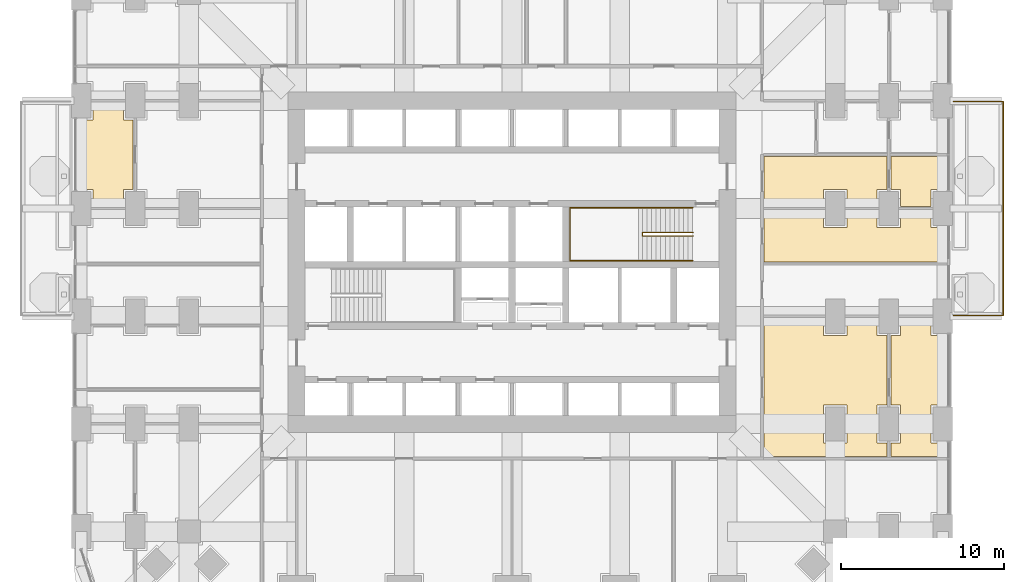
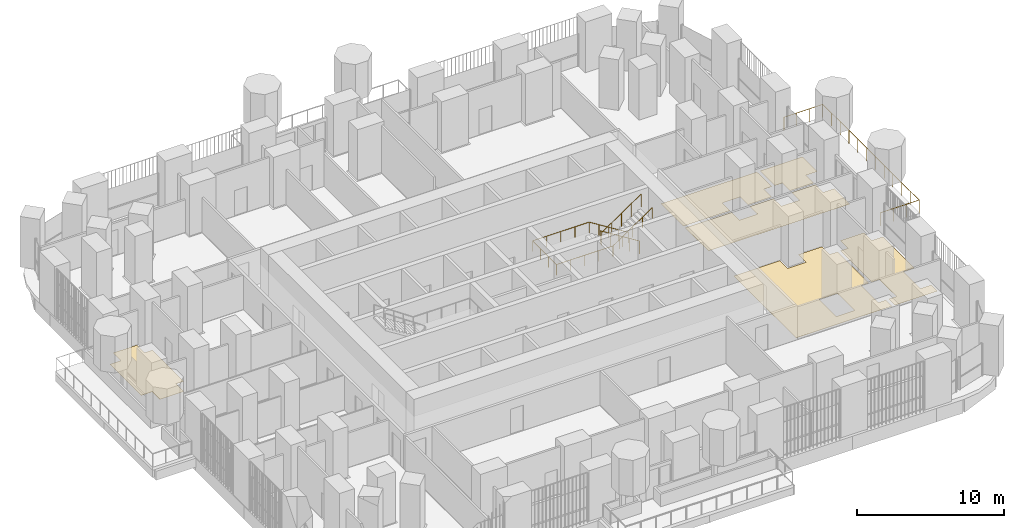
# One storey, part 24 of 26: 6 coverings, 3 railings.
"""IFC4 building model written with IfcOpenShell, lengths in metres."""

from ifc_helpers import new_model, si_unit, direction, frame, origin, place, context, subcontext, project, spatial, polyline, outline, extrude, material, layer, layer_set, type_object, element, save


model = new_model("IFC4")

# Units and contexts
model_context = context("Model", 3, precision=1e-05, world=origin(), true_north=direction((0.0, 1.0)))
body_context = subcontext(model_context, "Body", "Model", "MODEL_VIEW")
ifc_project = project(units=[si_unit("LENGTHUNIT", "METRE"), si_unit("AREAUNIT", "SQUARE_METRE"), si_unit("VOLUMEUNIT", "CUBIC_METRE"), si_unit("PLANEANGLEUNIT", "RADIAN"), si_unit("MASSUNIT", "GRAM", prefix="KILO")], contexts=[model_context])

# Site, building, storey
site_placement = place(None, origin())
site = spatial("IfcSite", under=ifc_project, at=site_placement, CompositionType="ELEMENT")
building_placement = place(site_placement, origin())
building = spatial("IfcBuilding", under=site, at=building_placement, Name="Cobogo Forest Laboratory Tower", CompositionType="ELEMENT")
storey_placement = place(building_placement, frame((0.0, 0.0, 25.5)))
storey = spatial("IfcBuildingStorey", under=building, at=storey_placement, Name="L05", CompositionType="ELEMENT", Elevation=25.5)

# Railing
ifc_material_1 = material(Name="Laminated glass balustrade", Category="glass")
railing_type_1 = type_object("IfcRailingType", Name="BG1 glass balustrade 1100", PredefinedType="GUARDRAIL", material=ifc_material_1)
railing_1_placement = place(storey_placement, frame((53.449951171875, 19.85009765625, 0.0)))
element("IfcRailing", 1, at=railing_1_placement, inside=storey, type_object=railing_type_1, Name="Balcony balustrade BAL-E1 L05", PredefinedType="GUARDRAIL", context=body_context, shape_type="SweptSolid", body=[
    extrude(outline(polyline([(0.022216796875, 0.00927734375), (0.00927734375, 0.022216796875), (-0.00927734375, 0.022216796875), (-0.022216796875, 0.00927734375), (-0.022216796875, -0.00927734375), (-0.00927734375, -0.022216796875), (0.00927734375, -0.022216796875), (0.022216796875, -0.00927734375), (0.022216796875, 0.00927734375)])), frame((0.0, 0.0, 1.077880859375), z_axis=(1.0, 0.0, 0.0), x_axis=(0.0, 1.0, 0.0)), (0.0, 0.0, 1.0), 3.050048828125),
    extrude(outline(polyline([(0.022216796875, 0.00927734375), (0.00927734375, 0.022216796875), (-0.00927734375, 0.022216796875), (-0.022216796875, 0.00927734375), (-0.022216796875, -0.00927734375), (-0.00927734375, -0.022216796875), (0.00927734375, -0.022216796875), (0.022216796875, -0.00927734375), (0.022216796875, 0.00927734375)])), frame((3.050048828125, 0.0, 1.077880859375), z_axis=(0.0, 1.0, 0.0), x_axis=(-1.0, 0.0, 0.0)), (0.0, 0.0, 1.0), 13.099853515625),
    extrude(outline(polyline([(0.022216796875, 0.00927734375), (0.00927734375, 0.022216796875), (-0.00927734375, 0.022216796875), (-0.022216796875, 0.00927734375), (-0.022216796875, -0.00927734375), (-0.00927734375, -0.022216796875), (0.00927734375, -0.022216796875), (0.022216796875, -0.00927734375), (0.022216796875, 0.00927734375)])), frame((3.050048828125, 13.099853515625, 1.077880859375), z_axis=(-1.0, 0.0, 0.0), x_axis=(0.0, -1.0, 0.0)), (0.0, 0.0, 1.0), 3.050048828125),
    extrude(outline(polyline([(0.019287109375, 0.008056640625), (0.008056640625, 0.019287109375), (-0.008056640625, 0.019287109375), (-0.019287109375, 0.008056640625), (-0.019287109375, -0.008056640625), (-0.008056640625, -0.019287109375), (0.008056640625, -0.019287109375), (0.019287109375, -0.008056640625), (0.019287109375, 0.008056640625)])), origin(), (0.0, 0.0, 1.0), 1.077880859375),
    extrude(outline(polyline([(0.019287109375, 0.008056640625), (0.008056640625, 0.019287109375), (-0.008056640625, 0.019287109375), (-0.019287109375, 0.008056640625), (-0.019287109375, -0.008056640625), (-0.008056640625, -0.019287109375), (0.008056640625, -0.019287109375), (0.019287109375, -0.008056640625), (0.019287109375, 0.008056640625)])), frame((1.0166015625, 0.0, 0.0)), (0.0, 0.0, 1.0), 1.077880859375),
    extrude(outline(polyline([(0.019287109375, 0.008056640625), (0.008056640625, 0.019287109375), (-0.008056640625, 0.019287109375), (-0.019287109375, 0.008056640625), (-0.019287109375, -0.008056640625), (-0.008056640625, -0.019287109375), (0.008056640625, -0.019287109375), (0.019287109375, -0.008056640625), (0.019287109375, 0.008056640625)])), frame((2.033447265625, 0.0, 0.0)), (0.0, 0.0, 1.0), 1.077880859375),
    extrude(outline(polyline([(0.019287109375, 0.008056640625), (0.008056640625, 0.019287109375), (-0.008056640625, 0.019287109375), (-0.019287109375, 0.008056640625), (-0.019287109375, -0.008056640625), (-0.008056640625, -0.019287109375), (0.008056640625, -0.019287109375), (0.019287109375, -0.008056640625), (0.019287109375, 0.008056640625)])), frame((3.050048828125, 0.0, 0.0)), (0.0, 0.0, 1.0), 1.077880859375),
    extrude(outline(polyline([(0.019287109375, 0.008056640625), (0.008056640625, 0.019287109375), (-0.008056640625, 0.019287109375), (-0.019287109375, 0.008056640625), (-0.019287109375, -0.008056640625), (-0.008056640625, -0.019287109375), (0.008056640625, -0.019287109375), (0.019287109375, -0.008056640625), (0.019287109375, 0.008056640625)])), frame((3.050048828125, 1.19091796875, 0.0)), (0.0, 0.0, 1.0), 1.077880859375),
    extrude(outline(polyline([(0.019287109375, 0.008056640625), (0.008056640625, 0.019287109375), (-0.008056640625, 0.019287109375), (-0.019287109375, 0.008056640625), (-0.019287109375, -0.008056640625), (-0.008056640625, -0.019287109375), (0.008056640625, -0.019287109375), (0.019287109375, -0.008056640625), (0.019287109375, 0.008056640625)])), frame((3.050048828125, 2.3818359375, 0.0)), (0.0, 0.0, 1.0), 1.077880859375),
    extrude(outline(polyline([(0.019287109375, 0.008056640625), (0.008056640625, 0.019287109375), (-0.008056640625, 0.019287109375), (-0.019287109375, 0.008056640625), (-0.019287109375, -0.008056640625), (-0.008056640625, -0.019287109375), (0.008056640625, -0.019287109375), (0.019287109375, -0.008056640625), (0.019287109375, 0.008056640625)])), frame((3.050048828125, 3.57275390625, 0.0)), (0.0, 0.0, 1.0), 1.077880859375),
    extrude(outline(polyline([(0.019287109375, 0.008056640625), (0.008056640625, 0.019287109375), (-0.008056640625, 0.019287109375), (-0.019287109375, 0.008056640625), (-0.019287109375, -0.008056640625), (-0.008056640625, -0.019287109375), (0.008056640625, -0.019287109375), (0.019287109375, -0.008056640625), (0.019287109375, 0.008056640625)])), frame((3.050048828125, 4.763671875, 0.0)), (0.0, 0.0, 1.0), 1.077880859375),
    extrude(outline(polyline([(0.019287109375, 0.008056640625), (0.008056640625, 0.019287109375), (-0.008056640625, 0.019287109375), (-0.019287109375, 0.008056640625), (-0.019287109375, -0.008056640625), (-0.008056640625, -0.019287109375), (0.008056640625, -0.019287109375), (0.019287109375, -0.008056640625), (0.019287109375, 0.008056640625)])), frame((3.050048828125, 5.95458984375, 0.0)), (0.0, 0.0, 1.0), 1.077880859375),
    extrude(outline(polyline([(0.019287109375, 0.008056640625), (0.008056640625, 0.019287109375), (-0.008056640625, 0.019287109375), (-0.019287109375, 0.008056640625), (-0.019287109375, -0.008056640625), (-0.008056640625, -0.019287109375), (0.008056640625, -0.019287109375), (0.019287109375, -0.008056640625), (0.019287109375, 0.008056640625)])), frame((3.050048828125, 7.145263671875, 0.0)), (0.0, 0.0, 1.0), 1.077880859375),
    extrude(outline(polyline([(0.019287109375, 0.008056640625), (0.008056640625, 0.019287109375), (-0.008056640625, 0.019287109375), (-0.019287109375, 0.008056640625), (-0.019287109375, -0.008056640625), (-0.008056640625, -0.019287109375), (0.008056640625, -0.019287109375), (0.019287109375, -0.008056640625), (0.019287109375, 0.008056640625)])), frame((3.050048828125, 8.336181640625, 0.0)), (0.0, 0.0, 1.0), 1.077880859375),
    extrude(outline(polyline([(0.019287109375, 0.008056640625), (0.008056640625, 0.019287109375), (-0.008056640625, 0.019287109375), (-0.019287109375, 0.008056640625), (-0.019287109375, -0.008056640625), (-0.008056640625, -0.019287109375), (0.008056640625, -0.019287109375), (0.019287109375, -0.008056640625), (0.019287109375, 0.008056640625)])), frame((3.050048828125, 9.527099609375, 0.0)), (0.0, 0.0, 1.0), 1.077880859375),
    extrude(outline(polyline([(0.019287109375, 0.008056640625), (0.008056640625, 0.019287109375), (-0.008056640625, 0.019287109375), (-0.019287109375, 0.008056640625), (-0.019287109375, -0.008056640625), (-0.008056640625, -0.019287109375), (0.008056640625, -0.019287109375), (0.019287109375, -0.008056640625), (0.019287109375, 0.008056640625)])), frame((3.050048828125, 10.718017578125, 0.0)), (0.0, 0.0, 1.0), 1.077880859375),
    extrude(outline(polyline([(0.019287109375, 0.008056640625), (0.008056640625, 0.019287109375), (-0.008056640625, 0.019287109375), (-0.019287109375, 0.008056640625), (-0.019287109375, -0.008056640625), (-0.008056640625, -0.019287109375), (0.008056640625, -0.019287109375), (0.019287109375, -0.008056640625), (0.019287109375, 0.008056640625)])), frame((3.050048828125, 11.908935546875, 0.0)), (0.0, 0.0, 1.0), 1.077880859375),
    extrude(outline(polyline([(0.019287109375, 0.008056640625), (0.008056640625, 0.019287109375), (-0.008056640625, 0.019287109375), (-0.019287109375, 0.008056640625), (-0.019287109375, -0.008056640625), (-0.008056640625, -0.019287109375), (0.008056640625, -0.019287109375), (0.019287109375, -0.008056640625), (0.019287109375, 0.008056640625)])), frame((3.050048828125, 13.099853515625, 0.0)), (0.0, 0.0, 1.0), 1.077880859375),
    extrude(outline(polyline([(0.019287109375, 0.008056640625), (0.008056640625, 0.019287109375), (-0.008056640625, 0.019287109375), (-0.019287109375, 0.008056640625), (-0.019287109375, -0.008056640625), (-0.008056640625, -0.019287109375), (0.008056640625, -0.019287109375), (0.019287109375, -0.008056640625), (0.019287109375, 0.008056640625)])), frame((2.033447265625, 13.099853515625, 0.0)), (0.0, 0.0, 1.0), 1.077880859375),
    extrude(outline(polyline([(0.019287109375, 0.008056640625), (0.008056640625, 0.019287109375), (-0.008056640625, 0.019287109375), (-0.019287109375, 0.008056640625), (-0.019287109375, -0.008056640625), (-0.008056640625, -0.019287109375), (0.008056640625, -0.019287109375), (0.019287109375, -0.008056640625), (0.019287109375, 0.008056640625)])), frame((1.0166015625, 13.099853515625, 0.0)), (0.0, 0.0, 1.0), 1.077880859375),
    extrude(outline(polyline([(0.019287109375, 0.008056640625), (0.008056640625, 0.019287109375), (-0.008056640625, 0.019287109375), (-0.019287109375, 0.008056640625), (-0.019287109375, -0.008056640625), (-0.008056640625, -0.019287109375), (0.008056640625, -0.019287109375), (0.019287109375, -0.008056640625), (0.019287109375, 0.008056640625)])), frame((0.0, 13.099853515625, 0.0)), (0.0, 0.0, 1.0), 1.077880859375),
])

# Coverings
ifc_material_2 = material(Name="Carpet tile on raised access floor", Category="flooring")
ifc_layer_1 = layer(ifc_material_2, 0.008056640625)
ifc_layer_set_1 = layer_set([ifc_layer_1], Name="CT1 carpet tile floor 8")
covering_type_1 = type_object("IfcCoveringType", Name="CT1 carpet tile floor 8", PredefinedType="FLOORING", material=ifc_layer_set_1)
covering_1_placement = place(storey_placement, origin())
element("IfcCovering", 2, at=covering_1_placement, inside=storey, type_object=covering_type_1, Name="Carpet floor L05-09", PredefinedType="FLOORING", context=body_context, shape_type="SweptSolid", body=[
    extrude(outline(polyline([(49.6201171875, 12.030029296875), (50.219970703125, 12.030029296875), (50.219970703125, 14.3701171875), (49.6201171875, 14.3701171875), (49.6201171875, 18.6298828125), (50.219970703125, 18.6298828125), (50.219970703125, 19.679931640625), (52.080078125, 19.679931640625), (52.080078125, 18.6298828125), (52.949951171875, 18.6298828125), (52.949951171875, 14.3701171875), (52.080078125, 14.3701171875), (52.080078125, 12.030029296875), (52.949951171875, 12.030029296875), (52.949951171875, 11.195068359375), (49.6201171875, 11.195068359375), (49.6201171875, 12.030029296875)])), origin(), (0.0, 0.0, 1.0), 0.008056640625),
])
covering_2_placement = place(storey_placement, origin())
element("IfcCovering", 3, at=covering_2_placement, inside=storey, type_object=covering_type_1, Name="Carpet floor L05-13", PredefinedType="FLOORING", context=body_context, shape_type="SweptSolid", body=[
    extrude(outline(polyline([(49.6201171875, 29.580078125), (52.949951171875, 29.580078125), (52.949951171875, 27.570068359375), (52.080078125, 27.570068359375), (52.080078125, 26.52001953125), (50.219970703125, 26.52001953125), (50.219970703125, 27.570068359375), (49.6201171875, 27.570068359375), (49.6201171875, 29.580078125)])), origin(), (0.0, 0.0, 1.0), 0.008056640625),
])
covering_3_placement = place(storey_placement, origin())
element("IfcCovering", 4, at=covering_3_placement, inside=storey, type_object=covering_type_1, Name="Carpet floor L05-35", PredefinedType="FLOORING", context=body_context, shape_type="SweptSolid", body=[
    extrude(outline(polyline([(3.179931640625, 27.570068359375), (2.580078125, 27.570068359375), (2.580078125, 26.52001953125), (0.719970703125, 26.52001953125), (0.719970703125, 27.570068359375), (-0.14990234375, 27.570068359375), (-0.14990234375, 31.830078125), (0.719970703125, 31.830078125), (0.719970703125, 32.8798828125), (2.580078125, 32.8798828125), (2.580078125, 31.830078125), (3.179931640625, 31.830078125), (3.179931640625, 27.570068359375)])), origin(), (0.0, 0.0, 1.0), 0.008056640625),
])

# Railings
ifc_material_3 = material(Name="Steel balustrade", Category="steel")
railing_type_2 = type_object("IfcRailingType", Name="GR stair guard 1100", PredefinedType="GUARDRAIL", material=ifc_material_3)
railing_2_placement = place(storey_placement, frame((37.47509765625, 24.929931640625, 0.175048828125)))
element("IfcRailing", 5, at=railing_2_placement, inside=storey, type_object=railing_type_2, Name="Stair guard ST2 L05", PredefinedType="GUARDRAIL", context=body_context, shape_type="SweptSolid", body=[
    extrude(outline(polyline([(0.022216796875, 0.00927734375), (0.00927734375, 0.022216796875), (-0.00927734375, 0.022216796875), (-0.022216796875, 0.00927734375), (-0.022216796875, -0.00927734375), (-0.00927734375, -0.022216796875), (0.00927734375, -0.022216796875), (0.022216796875, -0.00927734375), (0.022216796875, 0.00927734375)])), frame((0.0, 0.0, 1.077880859375), z_axis=(-0.847998304005, 0.0, 0.529998940003), x_axis=(0.0, -1.0, 0.0)), (0.0, 0.0, 1.0), 3.632080078125),
    extrude(outline(polyline([(0.022216796875, 0.00927734375), (0.00927734375, 0.022216796875), (-0.00927734375, 0.022216796875), (-0.022216796875, 0.00927734375), (-0.022216796875, -0.00927734375), (-0.00927734375, -0.022216796875), (0.00927734375, -0.022216796875), (0.022216796875, -0.00927734375), (0.022216796875, 0.00927734375)])), frame((-3.080078125, 0.0, 3.0029296875), z_axis=(0.0, -1.0, 0.0), x_axis=(1.0, 0.0, 0.0)), (0.0, 0.0, 1.0), 0.2099609375),
    extrude(outline(polyline([(0.022216796875, 0.00927734375), (0.00927734375, 0.022216796875), (-0.00927734375, 0.022216796875), (-0.022216796875, 0.00927734375), (-0.022216796875, -0.00927734375), (-0.00927734375, -0.022216796875), (0.00927734375, -0.022216796875), (0.022216796875, -0.00927734375), (0.022216796875, 0.00927734375)])), frame((-3.080078125, -0.2099609375, 3.0029296875), z_axis=(0.826252282691, 0.0, 0.563300244406), x_axis=(0.0, 1.0, 0.0)), (0.0, 0.0, 1.0), 3.727783203125),
    extrude(outline(polyline([(0.019287109375, 0.008056640625), (0.008056640625, 0.019287109375), (-0.008056640625, 0.019287109375), (-0.019287109375, 0.008056640625), (-0.019287109375, -0.008056640625), (-0.008056640625, -0.019287109375), (0.008056640625, -0.019287109375), (0.019287109375, -0.008056640625), (0.019287109375, 0.008056640625)])), origin(), (0.0, 0.0, 1.0), 1.077880859375),
    extrude(outline(polyline([(0.019287109375, 0.008056640625), (0.008056640625, 0.019287109375), (-0.008056640625, 0.019287109375), (-0.019287109375, 0.008056640625), (-0.019287109375, -0.008056640625), (-0.008056640625, -0.019287109375), (0.008056640625, -0.019287109375), (0.019287109375, -0.008056640625), (0.019287109375, 0.008056640625)])), frame((-0.77001953125, 0.0, 0.481201171875)), (0.0, 0.0, 1.0), 1.077880859375),
    extrude(outline(polyline([(0.019287109375, 0.008056640625), (0.008056640625, 0.019287109375), (-0.008056640625, 0.019287109375), (-0.019287109375, 0.008056640625), (-0.019287109375, -0.008056640625), (-0.008056640625, -0.019287109375), (0.008056640625, -0.019287109375), (0.019287109375, -0.008056640625), (0.019287109375, 0.008056640625)])), frame((-1.5400390625, 0.0, 0.96240234375)), (0.0, 0.0, 1.0), 1.077880859375),
    extrude(outline(polyline([(0.019287109375, 0.008056640625), (0.008056640625, 0.019287109375), (-0.008056640625, 0.019287109375), (-0.019287109375, 0.008056640625), (-0.019287109375, -0.008056640625), (-0.008056640625, -0.019287109375), (0.008056640625, -0.019287109375), (0.019287109375, -0.008056640625), (0.019287109375, 0.008056640625)])), frame((-2.31005859375, 0.0, 1.44384765625)), (0.0, 0.0, 1.0), 1.077880859375),
    extrude(outline(polyline([(0.019287109375, 0.008056640625), (0.008056640625, 0.019287109375), (-0.008056640625, 0.019287109375), (-0.019287109375, 0.008056640625), (-0.019287109375, -0.008056640625), (-0.008056640625, -0.019287109375), (0.008056640625, -0.019287109375), (0.019287109375, -0.008056640625), (0.019287109375, 0.008056640625)])), frame((-3.080078125, 0.0, 1.925048828125)), (0.0, 0.0, 1.0), 1.077880859375),
    extrude(outline(polyline([(0.019287109375, 0.008056640625), (0.008056640625, 0.019287109375), (-0.008056640625, 0.019287109375), (-0.019287109375, 0.008056640625), (-0.019287109375, -0.008056640625), (-0.008056640625, -0.019287109375), (0.008056640625, -0.019287109375), (0.019287109375, -0.008056640625), (0.019287109375, 0.008056640625)])), frame((-3.080078125, -0.2099609375, 1.925048828125)), (0.0, 0.0, 1.0), 1.077880859375),
    extrude(outline(polyline([(0.019287109375, 0.008056640625), (0.008056640625, 0.019287109375), (-0.008056640625, 0.019287109375), (-0.019287109375, 0.008056640625), (-0.019287109375, -0.008056640625), (-0.008056640625, -0.019287109375), (0.008056640625, -0.019287109375), (0.019287109375, -0.008056640625), (0.019287109375, 0.008056640625)])), frame((-2.31005859375, -0.2099609375, 2.449951171875)), (0.0, 0.0, 1.0), 1.077880859375),
    extrude(outline(polyline([(0.019287109375, 0.008056640625), (0.008056640625, 0.019287109375), (-0.008056640625, 0.019287109375), (-0.019287109375, 0.008056640625), (-0.019287109375, -0.008056640625), (-0.008056640625, -0.019287109375), (0.008056640625, -0.019287109375), (0.019287109375, -0.008056640625), (0.019287109375, 0.008056640625)])), frame((-1.5400390625, -0.2099609375, 2.97509765625)), (0.0, 0.0, 1.0), 1.077880859375),
    extrude(outline(polyline([(0.019287109375, 0.008056640625), (0.008056640625, 0.019287109375), (-0.008056640625, 0.019287109375), (-0.019287109375, 0.008056640625), (-0.019287109375, -0.008056640625), (-0.008056640625, -0.019287109375), (0.008056640625, -0.019287109375), (0.019287109375, -0.008056640625), (0.019287109375, 0.008056640625)])), frame((-0.77001953125, -0.2099609375, 3.5)), (0.0, 0.0, 1.0), 1.077880859375),
    extrude(outline(polyline([(0.019287109375, 0.008056640625), (0.008056640625, 0.019287109375), (-0.008056640625, 0.019287109375), (-0.019287109375, 0.008056640625), (-0.019287109375, -0.008056640625), (-0.008056640625, -0.019287109375), (0.008056640625, -0.019287109375), (0.019287109375, -0.008056640625), (0.019287109375, 0.008056640625)])), frame((0.0, -0.2099609375, 4.02490234375)), (0.0, 0.0, 1.0), 1.077880859375),
])
ifc_material_4 = material(Name="Stainless steel handrail", Category="steel")
railing_type_3 = type_object("IfcRailingType", Name="HR handrail 900", PredefinedType="HANDRAIL", material=ifc_material_4)
railing_3_placement = place(storey_placement, frame((37.47509765625, 26.449951171875, 0.175048828125)))
element("IfcRailing", 6, at=railing_3_placement, inside=storey, type_object=railing_type_3, Name="Stair handrail ST2 L05", PredefinedType="HANDRAIL", context=body_context, shape_type="SweptSolid", body=[
    extrude(outline(polyline([(0.022216796875, 0.00927734375), (0.00927734375, 0.022216796875), (-0.00927734375, 0.022216796875), (-0.022216796875, 0.00927734375), (-0.022216796875, -0.00927734375), (-0.00927734375, -0.022216796875), (0.00927734375, -0.022216796875), (0.022216796875, -0.00927734375), (0.022216796875, 0.00927734375)])), frame((0.0, 0.0, 0.877685546875), z_axis=(-0.847998304005, 0.0, 0.529998940003), x_axis=(0.0, -1.0, 0.0)), (0.0, 0.0, 1.0), 3.632080078125),
    extrude(outline(polyline([(0.022216796875, 0.00927734375), (0.00927734375, 0.022216796875), (-0.00927734375, 0.022216796875), (-0.022216796875, 0.00927734375), (-0.022216796875, -0.00927734375), (-0.00927734375, -0.022216796875), (0.00927734375, -0.022216796875), (0.022216796875, -0.00927734375), (0.022216796875, 0.00927734375)])), frame((-3.080078125, 0.0, 2.802734375), z_axis=(-1.0, 0.0, 0.0), x_axis=(0.0, -1.0, 0.0)), (0.0, 0.0, 1.0), 4.445068359375),
    extrude(outline(polyline([(0.022216796875, 0.00927734375), (0.00927734375, 0.022216796875), (-0.00927734375, 0.022216796875), (-0.022216796875, 0.00927734375), (-0.022216796875, -0.00927734375), (-0.00927734375, -0.022216796875), (0.00927734375, -0.022216796875), (0.022216796875, -0.00927734375), (0.022216796875, 0.00927734375)])), frame((-7.525146484375, 0.0, 2.802734375), z_axis=(0.0, -1.0, 0.0), x_axis=(1.0, 0.0, 0.0)), (0.0, 0.0, 1.0), 3.25),
    extrude(outline(polyline([(0.022216796875, 0.00927734375), (0.00927734375, 0.022216796875), (-0.00927734375, 0.022216796875), (-0.022216796875, 0.00927734375), (-0.022216796875, -0.00927734375), (-0.00927734375, -0.022216796875), (0.00927734375, -0.022216796875), (0.022216796875, -0.00927734375), (0.022216796875, 0.00927734375)])), frame((-7.525146484375, -3.25, 2.802734375), z_axis=(1.0, 0.0, 0.0), x_axis=(0.0, 1.0, 0.0)), (0.0, 0.0, 1.0), 4.445068359375),
    extrude(outline(polyline([(0.022216796875, 0.00927734375), (0.00927734375, 0.022216796875), (-0.00927734375, 0.022216796875), (-0.022216796875, 0.00927734375), (-0.022216796875, -0.00927734375), (-0.00927734375, -0.022216796875), (0.00927734375, -0.022216796875), (0.022216796875, -0.00927734375), (0.022216796875, 0.00927734375)])), frame((-3.080078125, -3.25, 2.802734375), z_axis=(0.826252282691, 0.0, 0.563300244406), x_axis=(0.0, 1.0, 0.0)), (0.0, 0.0, 1.0), 3.727783203125),
    extrude(outline(polyline([(0.019287109375, 0.008056640625), (0.008056640625, 0.019287109375), (-0.008056640625, 0.019287109375), (-0.019287109375, 0.008056640625), (-0.019287109375, -0.008056640625), (-0.008056640625, -0.019287109375), (0.008056640625, -0.019287109375), (0.019287109375, -0.008056640625), (0.019287109375, 0.008056640625)])), origin(), (0.0, 0.0, 1.0), 0.877685546875),
    extrude(outline(polyline([(0.019287109375, 0.008056640625), (0.008056640625, 0.019287109375), (-0.008056640625, 0.019287109375), (-0.019287109375, 0.008056640625), (-0.019287109375, -0.008056640625), (-0.008056640625, -0.019287109375), (0.008056640625, -0.019287109375), (0.019287109375, -0.008056640625), (0.019287109375, 0.008056640625)])), frame((-0.77001953125, 0.0, 0.481201171875)), (0.0, 0.0, 1.0), 0.877685546875),
    extrude(outline(polyline([(0.019287109375, 0.008056640625), (0.008056640625, 0.019287109375), (-0.008056640625, 0.019287109375), (-0.019287109375, 0.008056640625), (-0.019287109375, -0.008056640625), (-0.008056640625, -0.019287109375), (0.008056640625, -0.019287109375), (0.019287109375, -0.008056640625), (0.019287109375, 0.008056640625)])), frame((-1.5400390625, 0.0, 0.96240234375)), (0.0, 0.0, 1.0), 0.877685546875),
    extrude(outline(polyline([(0.019287109375, 0.008056640625), (0.008056640625, 0.019287109375), (-0.008056640625, 0.019287109375), (-0.019287109375, 0.008056640625), (-0.019287109375, -0.008056640625), (-0.008056640625, -0.019287109375), (0.008056640625, -0.019287109375), (0.019287109375, -0.008056640625), (0.019287109375, 0.008056640625)])), frame((-2.31005859375, 0.0, 1.44384765625)), (0.0, 0.0, 1.0), 0.877685546875),
    extrude(outline(polyline([(0.019287109375, 0.008056640625), (0.008056640625, 0.019287109375), (-0.008056640625, 0.019287109375), (-0.019287109375, 0.008056640625), (-0.019287109375, -0.008056640625), (-0.008056640625, -0.019287109375), (0.008056640625, -0.019287109375), (0.019287109375, -0.008056640625), (0.019287109375, 0.008056640625)])), frame((-3.080078125, 0.0, 1.925048828125)), (0.0, 0.0, 1.0), 0.877685546875),
    extrude(outline(polyline([(0.019287109375, 0.008056640625), (0.008056640625, 0.019287109375), (-0.008056640625, 0.019287109375), (-0.019287109375, 0.008056640625), (-0.019287109375, -0.008056640625), (-0.008056640625, -0.019287109375), (0.008056640625, -0.019287109375), (0.019287109375, -0.008056640625), (0.019287109375, 0.008056640625)])), frame((-4.19140625, 0.0, 1.925048828125)), (0.0, 0.0, 1.0), 0.877685546875),
    extrude(outline(polyline([(0.019287109375, 0.008056640625), (0.008056640625, 0.019287109375), (-0.008056640625, 0.019287109375), (-0.019287109375, 0.008056640625), (-0.019287109375, -0.008056640625), (-0.008056640625, -0.019287109375), (0.008056640625, -0.019287109375), (0.019287109375, -0.008056640625), (0.019287109375, 0.008056640625)])), frame((-5.302734375, 0.0, 1.925048828125)), (0.0, 0.0, 1.0), 0.877685546875),
    extrude(outline(polyline([(0.019287109375, 0.008056640625), (0.008056640625, 0.019287109375), (-0.008056640625, 0.019287109375), (-0.019287109375, 0.008056640625), (-0.019287109375, -0.008056640625), (-0.008056640625, -0.019287109375), (0.008056640625, -0.019287109375), (0.019287109375, -0.008056640625), (0.019287109375, 0.008056640625)])), frame((-6.413818359375, 0.0, 1.925048828125)), (0.0, 0.0, 1.0), 0.877685546875),
    extrude(outline(polyline([(0.019287109375, 0.008056640625), (0.008056640625, 0.019287109375), (-0.008056640625, 0.019287109375), (-0.019287109375, 0.008056640625), (-0.019287109375, -0.008056640625), (-0.008056640625, -0.019287109375), (0.008056640625, -0.019287109375), (0.019287109375, -0.008056640625), (0.019287109375, 0.008056640625)])), frame((-7.525146484375, 0.0, 1.925048828125)), (0.0, 0.0, 1.0), 0.877685546875),
    extrude(outline(polyline([(0.019287109375, 0.008056640625), (0.008056640625, 0.019287109375), (-0.008056640625, 0.019287109375), (-0.019287109375, 0.008056640625), (-0.019287109375, -0.008056640625), (-0.008056640625, -0.019287109375), (0.008056640625, -0.019287109375), (0.019287109375, -0.008056640625), (0.019287109375, 0.008056640625)])), frame((-7.525146484375, -1.083251953125, 1.925048828125)), (0.0, 0.0, 1.0), 0.877685546875),
    extrude(outline(polyline([(0.019287109375, 0.008056640625), (0.008056640625, 0.019287109375), (-0.008056640625, 0.019287109375), (-0.019287109375, 0.008056640625), (-0.019287109375, -0.008056640625), (-0.008056640625, -0.019287109375), (0.008056640625, -0.019287109375), (0.019287109375, -0.008056640625), (0.019287109375, 0.008056640625)])), frame((-7.525146484375, -2.166748046875, 1.925048828125)), (0.0, 0.0, 1.0), 0.877685546875),
    extrude(outline(polyline([(0.019287109375, 0.008056640625), (0.008056640625, 0.019287109375), (-0.008056640625, 0.019287109375), (-0.019287109375, 0.008056640625), (-0.019287109375, -0.008056640625), (-0.008056640625, -0.019287109375), (0.008056640625, -0.019287109375), (0.019287109375, -0.008056640625), (0.019287109375, 0.008056640625)])), frame((-7.525146484375, -3.25, 1.925048828125)), (0.0, 0.0, 1.0), 0.877685546875),
    extrude(outline(polyline([(0.019287109375, 0.008056640625), (0.008056640625, 0.019287109375), (-0.008056640625, 0.019287109375), (-0.019287109375, 0.008056640625), (-0.019287109375, -0.008056640625), (-0.008056640625, -0.019287109375), (0.008056640625, -0.019287109375), (0.019287109375, -0.008056640625), (0.019287109375, 0.008056640625)])), frame((-6.413818359375, -3.25, 1.925048828125)), (0.0, 0.0, 1.0), 0.877685546875),
    extrude(outline(polyline([(0.019287109375, 0.008056640625), (0.008056640625, 0.019287109375), (-0.008056640625, 0.019287109375), (-0.019287109375, 0.008056640625), (-0.019287109375, -0.008056640625), (-0.008056640625, -0.019287109375), (0.008056640625, -0.019287109375), (0.019287109375, -0.008056640625), (0.019287109375, 0.008056640625)])), frame((-5.302734375, -3.25, 1.925048828125)), (0.0, 0.0, 1.0), 0.877685546875),
    extrude(outline(polyline([(0.019287109375, 0.008056640625), (0.008056640625, 0.019287109375), (-0.008056640625, 0.019287109375), (-0.019287109375, 0.008056640625), (-0.019287109375, -0.008056640625), (-0.008056640625, -0.019287109375), (0.008056640625, -0.019287109375), (0.019287109375, -0.008056640625), (0.019287109375, 0.008056640625)])), frame((-4.19140625, -3.25, 1.925048828125)), (0.0, 0.0, 1.0), 0.877685546875),
    extrude(outline(polyline([(0.019287109375, 0.008056640625), (0.008056640625, 0.019287109375), (-0.008056640625, 0.019287109375), (-0.019287109375, 0.008056640625), (-0.019287109375, -0.008056640625), (-0.008056640625, -0.019287109375), (0.008056640625, -0.019287109375), (0.019287109375, -0.008056640625), (0.019287109375, 0.008056640625)])), frame((-3.080078125, -3.25, 1.925048828125)), (0.0, 0.0, 1.0), 0.877685546875),
    extrude(outline(polyline([(0.019287109375, 0.008056640625), (0.008056640625, 0.019287109375), (-0.008056640625, 0.019287109375), (-0.019287109375, 0.008056640625), (-0.019287109375, -0.008056640625), (-0.008056640625, -0.019287109375), (0.008056640625, -0.019287109375), (0.019287109375, -0.008056640625), (0.019287109375, 0.008056640625)])), frame((-2.31005859375, -3.25, 2.449951171875)), (0.0, 0.0, 1.0), 0.877685546875),
    extrude(outline(polyline([(0.019287109375, 0.008056640625), (0.008056640625, 0.019287109375), (-0.008056640625, 0.019287109375), (-0.019287109375, 0.008056640625), (-0.019287109375, -0.008056640625), (-0.008056640625, -0.019287109375), (0.008056640625, -0.019287109375), (0.019287109375, -0.008056640625), (0.019287109375, 0.008056640625)])), frame((-1.5400390625, -3.25, 2.97509765625)), (0.0, 0.0, 1.0), 0.877685546875),
    extrude(outline(polyline([(0.019287109375, 0.008056640625), (0.008056640625, 0.019287109375), (-0.008056640625, 0.019287109375), (-0.019287109375, 0.008056640625), (-0.019287109375, -0.008056640625), (-0.008056640625, -0.019287109375), (0.008056640625, -0.019287109375), (0.019287109375, -0.008056640625), (0.019287109375, 0.008056640625)])), frame((-0.77001953125, -3.25, 3.5)), (0.0, 0.0, 1.0), 0.877685546875),
    extrude(outline(polyline([(0.019287109375, 0.008056640625), (0.008056640625, 0.019287109375), (-0.008056640625, 0.019287109375), (-0.019287109375, 0.008056640625), (-0.019287109375, -0.008056640625), (-0.008056640625, -0.019287109375), (0.008056640625, -0.019287109375), (0.019287109375, -0.008056640625), (0.019287109375, 0.008056640625)])), frame((0.0, -3.25, 4.02490234375)), (0.0, 0.0, 1.0), 0.877685546875),
])

# Coverings
ifc_material_5 = material(Name="Epoxy resin flooring", Category="flooring")
ifc_layer_2 = layer(ifc_material_5, 0.00390625)
ifc_layer_set_2 = layer_set([ifc_layer_2], Name="LF1 epoxy laboratory floor 4")
covering_type_2 = type_object("IfcCoveringType", Name="LF1 epoxy laboratory floor 4", PredefinedType="FLOORING", material=ifc_layer_set_2)
covering_4_placement = place(storey_placement, origin())
element("IfcCovering", 7, at=covering_4_placement, inside=storey, type_object=covering_type_2, Name="Epoxy laboratory floor L05-08", PredefinedType="FLOORING", context=body_context, shape_type="SweptSolid", body=[
    extrude(outline(polyline([(41.844970703125, 19.679931640625), (45.47998046875, 19.679931640625), (45.47998046875, 18.6298828125), (46.919921875, 18.6298828125), (46.919921875, 19.679931640625), (48.780029296875, 19.679931640625), (48.780029296875, 18.6298828125), (49.3798828125, 18.6298828125), (49.3798828125, 14.3701171875), (48.780029296875, 14.3701171875), (48.780029296875, 12.030029296875), (49.3798828125, 12.030029296875), (49.3798828125, 11.195068359375), (41.844970703125, 11.195068359375), (41.844970703125, 19.679931640625)]), holes=[polyline([(45.47998046875, 12.030029296875), (46.919921875, 12.030029296875), (46.919921875, 14.3701171875), (45.47998046875, 14.3701171875), (45.47998046875, 12.030029296875)])]), origin(), (0.0, 0.0, 1.0), 0.00390625),
])
covering_5_placement = place(storey_placement, origin())
element("IfcCovering", 8, at=covering_5_placement, inside=storey, type_object=covering_type_2, Name="Epoxy laboratory floor L05-12", PredefinedType="FLOORING", context=body_context, shape_type="SweptSolid", body=[
    extrude(outline(polyline([(41.844970703125, 29.580078125), (49.3798828125, 29.580078125), (49.3798828125, 27.570068359375), (48.780029296875, 27.570068359375), (48.780029296875, 26.52001953125), (46.919921875, 26.52001953125), (46.919921875, 27.570068359375), (45.47998046875, 27.570068359375), (45.47998046875, 26.52001953125), (41.844970703125, 26.52001953125), (41.844970703125, 29.580078125)])), origin(), (0.0, 0.0, 1.0), 0.00390625),
])
ifc_material_6 = material(Name="Static-dissipative vinyl flooring", Category="flooring")
ifc_layer_3 = layer(ifc_material_6, 0.0029296875)
ifc_layer_set_3 = layer_set([ifc_layer_3], Name="SD1 static-dissipative vinyl floor 3")
covering_type_3 = type_object("IfcCoveringType", Name="SD1 static-dissipative vinyl floor 3", PredefinedType="FLOORING", material=ifc_layer_set_3)
covering_6_placement = place(storey_placement, origin())
element("IfcCovering", 9, at=covering_6_placement, inside=storey, type_object=covering_type_3, Name="Static-dissipative floor L05-11", PredefinedType="FLOORING", context=body_context, shape_type="SweptSolid", body=[
    extrude(outline(polyline([(41.844970703125, 26.280029296875), (45.47998046875, 26.280029296875), (45.47998046875, 25.22998046875), (46.919921875, 25.22998046875), (46.919921875, 26.280029296875), (48.780029296875, 26.280029296875), (48.780029296875, 25.22998046875), (50.219970703125, 25.22998046875), (50.219970703125, 26.280029296875), (52.080078125, 26.280029296875), (52.080078125, 25.22998046875), (52.949951171875, 25.22998046875), (52.949951171875, 23.1201171875), (41.844970703125, 23.1201171875), (41.844970703125, 26.280029296875)])), origin(), (0.0, 0.0, 1.0), 0.0029296875),
])

save(model, "model.ifc")
